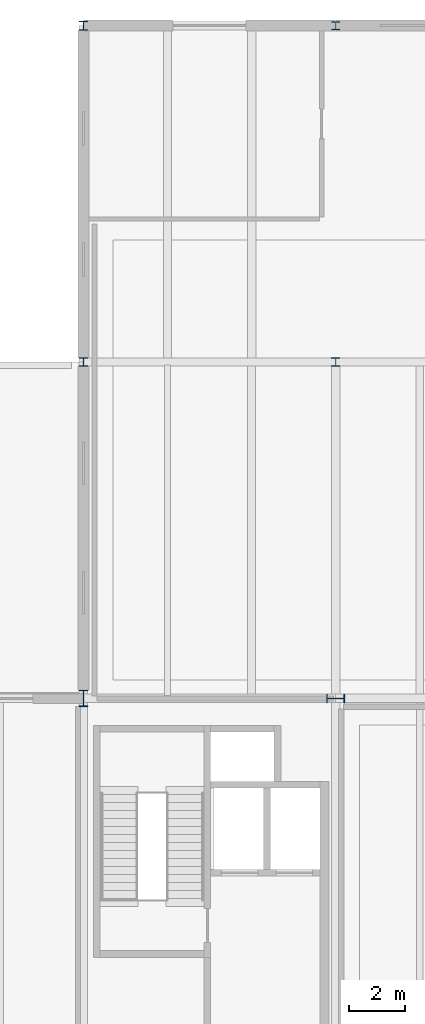
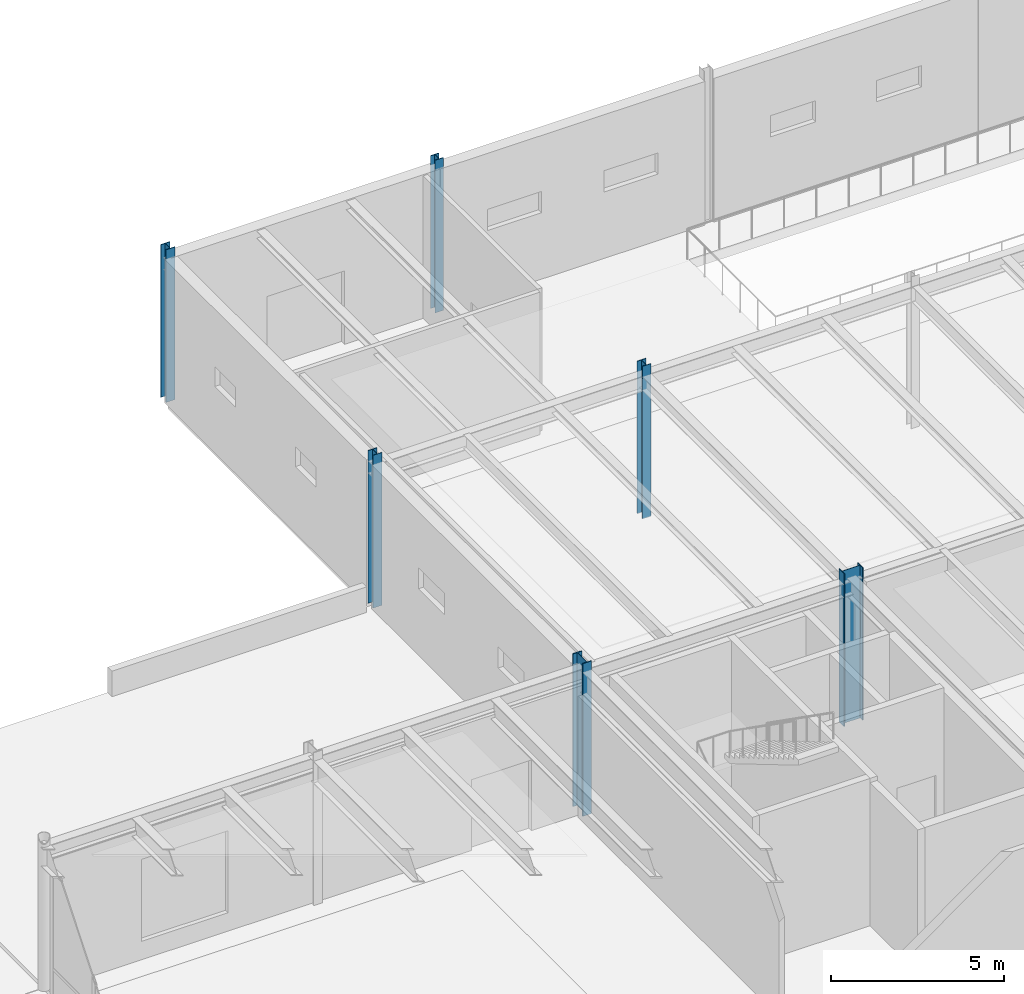
# One storey, part 15 of 143: 6 columns.
"""IFC4 building model written with IfcOpenShell, lengths in metres."""

from ifc_helpers import new_model, si_unit, direction, frame, origin, origin_2d, place, context, subcontext, project, spatial, i_section, extrude, material, material_profile, profile_set, type_object, element, save


model = new_model("IFC4")

# Units and contexts
model_context = context("Model", 3, precision=1e-05, world=origin(), true_north=direction((0.0, 1.0)))
body_context = subcontext(model_context, "Body", "Model", "MODEL_VIEW")
ifc_project = project(units=[si_unit("LENGTHUNIT", "METRE"), si_unit("AREAUNIT", "SQUARE_METRE"), si_unit("VOLUMEUNIT", "CUBIC_METRE"), si_unit("PLANEANGLEUNIT", "RADIAN"), si_unit("MASSUNIT", "GRAM", prefix="KILO")], contexts=[model_context])

# Site, building, storey
site_placement = place(None, origin())
site = spatial("IfcSite", under=ifc_project, at=site_placement, CompositionType="ELEMENT")
building_placement = place(site_placement, origin())
building = spatial("IfcBuilding", under=site, at=building_placement, Name="Montelvaro Courts of Justice", CompositionType="ELEMENT")
storey_placement = place(building_placement, origin())
storey = spatial("IfcBuildingStorey", under=building, at=storey_placement, Name="L00", CompositionType="ELEMENT", Elevation=0.0)

# Columns
ifc_material = material(Name="Steel S355", Category="steel")
ifc_material_profile_1 = material_profile(ifc_material, i_section(OverallWidth=0.280029296875, OverallDepth=0.280029296875, WebThickness=0.010498046875, FlangeThickness=0.01806640625, at=origin_2d()), Name="HEB 280")
ifc_profile_set_1 = profile_set([ifc_material_profile_1], Name="Steel S355")
column_type_1 = type_object("IfcColumnType", Name="Col_HEB280", PredefinedType="COLUMN", material=ifc_profile_set_1)
column_1_placement = place(storey_placement, frame((126.0, 120.0, 0.0), z_axis=(0.0, 0.0, 1.0), x_axis=(1.0, 0.0, 0.0)))
element("IfcColumn", 1, at=column_1_placement, inside=storey, type_object=column_type_1, Name="Column C-02 L00 15/J", PredefinedType="COLUMN", context=body_context, shape_type="SweptSolid", body=[
    extrude(i_section(OverallWidth=0.280029296875, OverallDepth=0.280029296875, WebThickness=0.010498046875, FlangeThickness=0.01806640625, at=origin_2d()), origin(), (0.0, 0.0, 1.0), 5.39990234375),
])
ifc_material_profile_2 = material_profile(ifc_material, i_section(OverallWidth=0.300048828125, OverallDepth=0.300048828125, WebThickness=0.010986328125, FlangeThickness=0.01904296875, at=origin_2d()), Name="HEB 300")
ifc_profile_set_2 = profile_set([ifc_material_profile_2], Name="Steel S355")
column_type_2 = type_object("IfcColumnType", Name="Col_HEB300", PredefinedType="COLUMN", material=ifc_profile_set_2)
column_2_placement = place(storey_placement, frame((117.0, 108.0, 0.0), z_axis=(0.0, 0.0, 1.0), x_axis=(1.0, 0.0, 0.0)))
element("IfcColumn", 2, at=column_2_placement, inside=storey, type_object=column_type_2, Name="Column C-03 L00 14/I", PredefinedType="COLUMN", context=body_context, shape_type="SweptSolid", body=[
    extrude(i_section(OverallWidth=0.300048828125, OverallDepth=0.300048828125, WebThickness=0.010986328125, FlangeThickness=0.01904296875, at=origin_2d()), origin(), (0.0, 0.0, 1.0), 5.39990234375),
])
ifc_material_profile_3 = material_profile(ifc_material, i_section(OverallWidth=0.300048828125, OverallDepth=0.320068359375, WebThickness=0.011474609375, FlangeThickness=0.0205078125, at=origin_2d()), Name="HEB 320")
ifc_profile_set_3 = profile_set([ifc_material_profile_3], Name="Steel S355")
column_type_3 = type_object("IfcColumnType", Name="Col_HEB320", PredefinedType="COLUMN", material=ifc_profile_set_3)
for number, where, z_axis, x_axis, name in (
    (3, (117.0, 120.0, 0.0), (0.0, 0.0, 1.0), (1.0, 0.0, 0.0), "Column C-04 L00 14/J"),
    (4, (126.0, 108.0, 0.0), (0.0, 0.0, 1.0), (1.0, 0.0, 0.0), "Column C-04 L00 15/I"),
):
    element("IfcColumn", number, at=place(storey_placement, frame(where, z_axis=z_axis, x_axis=x_axis)), inside=storey, type_object=column_type_3, Name=name, PredefinedType="COLUMN", context=body_context, shape_type="SweptSolid", body=[
        extrude(i_section(OverallWidth=0.300048828125, OverallDepth=0.320068359375, WebThickness=0.011474609375, FlangeThickness=0.0205078125, at=origin_2d()), origin(), (0.0, 0.0, 1.0), 5.39990234375),
    ])
ifc_material_profile_4 = material_profile(ifc_material, i_section(OverallWidth=0.300048828125, OverallDepth=0.60009765625, WebThickness=0.015380859375, FlangeThickness=0.030029296875, at=origin_2d()), Name="HEB 600")
ifc_profile_set_4 = profile_set([ifc_material_profile_4], Name="Steel S355")
column_type_4 = type_object("IfcColumnType", Name="Col_HEB600", PredefinedType="COLUMN", material=ifc_profile_set_4)
column_3_placement = place(storey_placement, frame((117.0, 96.0, 0.0), z_axis=(0.0, 0.0, 1.0), x_axis=(1.0, 0.0, 0.0)))
element("IfcColumn", 5, at=column_3_placement, inside=storey, type_object=column_type_4, Name="Column C-11 L00 14/H", PredefinedType="COLUMN", context=body_context, shape_type="SweptSolid", body=[
    extrude(i_section(OverallWidth=0.300048828125, OverallDepth=0.60009765625, WebThickness=0.015380859375, FlangeThickness=0.030029296875, at=origin_2d()), origin(), (0.0, 0.0, 1.0), 5.39990234375),
])
ifc_material_profile_5 = material_profile(ifc_material, i_section(OverallWidth=0.300048828125, OverallDepth=0.64990234375, WebThickness=0.01611328125, FlangeThickness=0.031005859375, at=origin_2d()), Name="HEB 650")
ifc_profile_set_5 = profile_set([ifc_material_profile_5], Name="Steel S355")
column_type_5 = type_object("IfcColumnType", Name="Col_HEB650", PredefinedType="COLUMN", material=ifc_profile_set_5)
column_4_placement = place(storey_placement, frame((126.0, 96.0, 0.0), z_axis=(0.0, 0.0, 1.0), x_axis=(0.0, 1.0, 0.0)))
element("IfcColumn", 6, at=column_4_placement, inside=storey, type_object=column_type_5, Name="Column C-12 L00 15/H", PredefinedType="COLUMN", context=body_context, shape_type="SweptSolid", body=[
    extrude(i_section(OverallWidth=0.300048828125, OverallDepth=0.64990234375, WebThickness=0.01611328125, FlangeThickness=0.031005859375, at=origin_2d()), origin(), (0.0, 0.0, 1.0), 5.39990234375),
])

save(model, "model.ifc")
